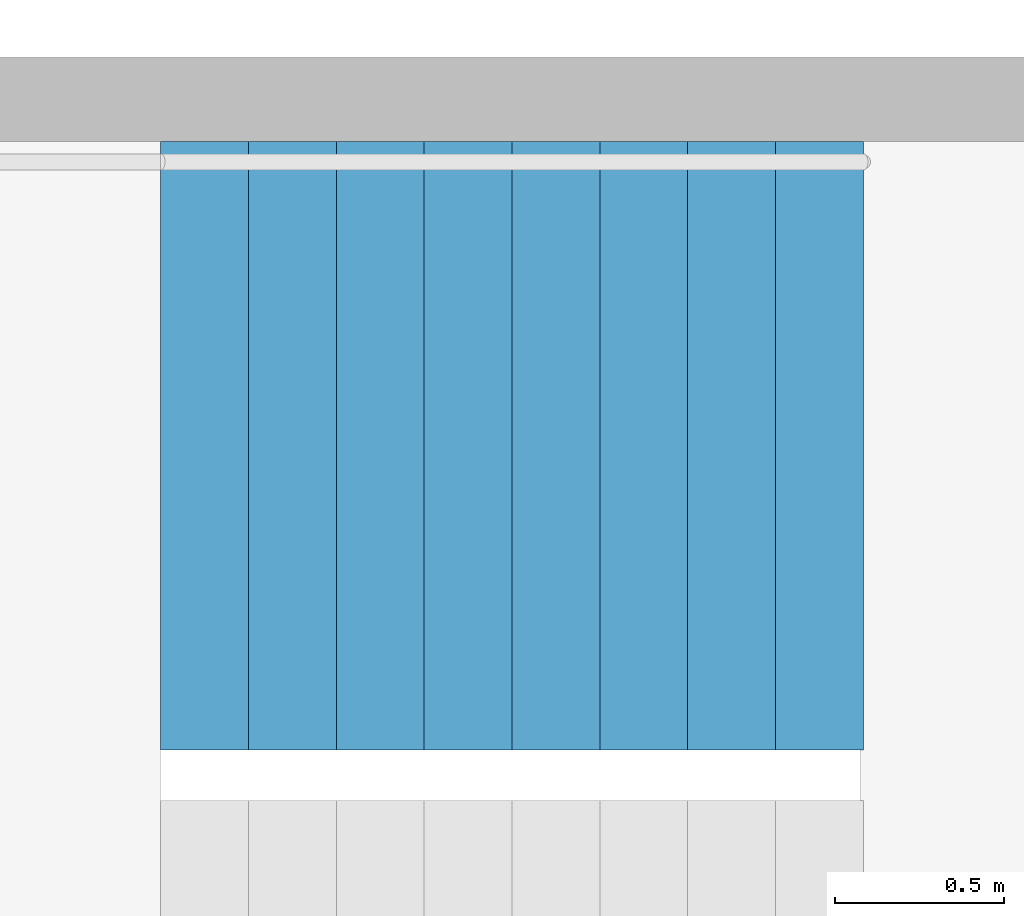
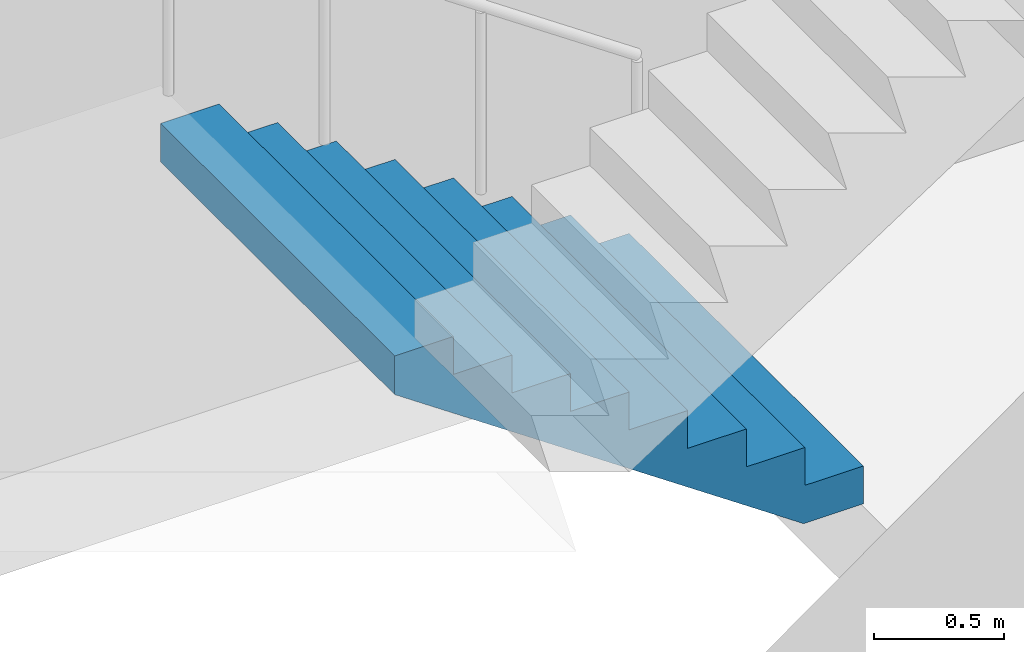
# One storey, part 20 of 27: 1 stair flight, 1 element without a shape of its own.
"""IFC4 building model written with IfcOpenShell, lengths in metres."""

import ifcopenshell
import ifcopenshell.guid

model = None  # the IFC model being written
_history = None  # IfcOwnerHistory: only IFC2X3 demands one
_inside = {}  # id of a spatial element -> (the spatial element, [elements in it])
_under = {}  # id of a project, library or spatial element -> (it, [spatial elements below it])
_declared = {}  # id of a project -> (the project, [libraries it declares])
_typed = {}  # id of a type object -> (the type object, [elements of that type])
_made_of = {}  # id of a material, layer set ... -> (it, [elements and type objects made of it])


def new_model(schema):
    """Start an empty IFC model of exactly this schema.

    Asked for "IFC4X3", IfcOpenShell would pick the latest addendum, in which some entities
    have other attributes; the version numbers below select the first issue.
    IFC2X3 requires an IfcOwnerHistory on every rooted entity: one is made here for all.
    """
    global model, _history
    if schema == "IFC4X3":
        model = ifcopenshell.file(schema_version=(4, 3, 0, 0))
    else:
        model = ifcopenshell.file(schema=schema)
    _inside.clear()
    _under.clear()
    _declared.clear()
    _typed.clear()
    _made_of.clear()
    _history = None
    if model.schema == "IFC2X3":
        org = make("IfcOrganization", Name="unknown")
        user = make(
            "IfcPersonAndOrganization",
            ThePerson=make("IfcPerson", FamilyName="unknown"),
            TheOrganization=org,
        )
        app = make(
            "IfcApplication",
            ApplicationDeveloper=org,
            Version="unknown",
            ApplicationFullName="unknown",
            ApplicationIdentifier="unknown",
        )
        _history = make(
            "IfcOwnerHistory",
            OwningUser=user,
            OwningApplication=app,
            ChangeAction="ADDED",
            CreationDate=0,
        )
    return model


def make(cls, **values):
    """One entity of the class cls with the attributes given. An attribute that is None is left unset."""
    return model.create_entity(
        cls, **{name: value for name, value in values.items() if value is not None}
    )


def rooted(cls, **values):
    """An entity with a GlobalId (a new one), such as an element, a storey or a relation."""
    return make(cls, GlobalId=ifcopenshell.guid.new(), OwnerHistory=_history, **values)


def si_unit(unit_type, name, prefix=None):
    """IfcSIUnit, for example si_unit("LENGTHUNIT", "METRE", prefix="MILLI")."""
    return make("IfcSIUnit", UnitType=unit_type, Prefix=prefix, Name=name)


def assignment(units):
    """IfcUnitAssignment: the units of a project."""
    return None if units is None else make("IfcUnitAssignment", Units=units)


def point(xyz):
    """IfcCartesianPoint."""
    return None if xyz is None else make("IfcCartesianPoint", Coordinates=xyz)


def direction(xyz):
    """IfcDirection."""
    return None if xyz is None else make("IfcDirection", DirectionRatios=xyz)


def frame(location, z_axis=None, x_axis=None):
    """IfcAxis2Placement3D, a coordinate frame: its origin and axes. An axis left out is left unset."""
    return make(
        "IfcAxis2Placement3D",
        Location=point(location),
        Axis=direction(z_axis),
        RefDirection=direction(x_axis),
    )


def origin():
    """The frame at (0, 0, 0) with its axes left unset."""
    return frame((0.0, 0.0, 0.0))


def place(relative_to, where):
    """IfcLocalPlacement: puts the frame where relative to a parent placement (None: the world)."""
    return make(
        "IfcLocalPlacement", PlacementRelTo=relative_to, RelativePlacement=where
    )


def context(
    kind, dimensions, precision=None, world=None, true_north=None, identifier=None
):
    """IfcGeometricRepresentationContext, for example the 3D "Model" context."""
    return make(
        "IfcGeometricRepresentationContext",
        ContextIdentifier=identifier,
        ContextType=kind,
        CoordinateSpaceDimension=dimensions,
        Precision=precision,
        WorldCoordinateSystem=world,
        TrueNorth=true_north,
    )


def subcontext(parent, identifier, kind, view, scale=None):
    """IfcGeometricRepresentationSubContext, for example "Body" below "Model"."""
    return make(
        "IfcGeometricRepresentationSubContext",
        ContextIdentifier=identifier,
        ContextType=kind,
        ParentContext=parent,
        TargetScale=scale,
        TargetView=view,
    )


def project(units=None, contexts=None):
    """IfcProject with its units and contexts."""
    return rooted(
        "IfcProject",
        Name="project",
        RepresentationContexts=contexts,
        UnitsInContext=assignment(units),
    )


def spatial(cls, under=None, at=None, **own):
    """A site, building, storey or space (cls), placed at a placement, below another one or the project."""
    s = rooted(cls, ObjectPlacement=at, **own)
    if under is not None:
        _under.setdefault(under.id(), (under, []))[1].append(s)
    return s


def point_list(points):
    """IfcCartesianPointList2D or 3D."""
    cls = (
        "IfcCartesianPointList2D" if len(points[0]) == 2 else "IfcCartesianPointList3D"
    )
    return make(cls, CoordList=points)


def triangles(points, corners, closed=None, point_numbers=None):
    """IfcTriangulatedFaceSet: each triangle names its three corners, points numbered from 1."""
    return make(
        "IfcTriangulatedFaceSet",
        Coordinates=point_list(points),
        Closed=closed,
        CoordIndex=corners,
        PnIndex=point_numbers,
    )


def shape(context_of_items, identifier, shape_type, items):
    """IfcShapeRepresentation: the items that make up one representation, for example the "Body"."""
    return make(
        "IfcShapeRepresentation",
        ContextOfItems=context_of_items,
        RepresentationIdentifier=identifier,
        RepresentationType=shape_type,
        Items=items,
    )


def material(Name=None, Category=None):
    """IfcMaterial."""
    return make("IfcMaterial", Name=Name, Category=Category)


def made_of(thing, what):
    """Note that an element or type object is made of a material, layer set ...; save() writes the relation."""
    if what is not None:
        _made_of.setdefault(what.id(), (what, []))[1].append(thing)
    return thing


def type_object(cls, material=None, **own):
    """A type object (cls), such as IfcWallType, which elements share."""
    return made_of(rooted(cls, **own), material)


def element(
    cls,
    number,
    at=None,
    inside=None,
    cuts=None,
    type_object=None,
    material=None,
    context=None,
    identifier="Body",
    shape_type=None,
    held_by="IfcProductDefinitionShape",
    body=None,
    shapes=None,
    **own,
):
    """One element of the class cls, such as IfcWall. Its Tag is "e" and its number.

    at: its placement. inside: the storey or other place that contains it. cuts: it is an
    opening in that element (IfcRelVoidsElement). A single representation is given by context,
    identifier, shape_type and body (its items); several are given by shapes. held_by: the class
    of the entity that holds the representations. save() writes the other relations.
    """
    e = rooted(cls, Tag="e%d" % number, ObjectPlacement=at, **own)
    if body is not None:
        shapes = [shape(context, identifier, shape_type, body)]
    if shapes is not None:
        e.Representation = make(held_by, Representations=shapes)
    if inside is not None:
        _inside.setdefault(inside.id(), (inside, []))[1].append(e)
    if cuts is not None:
        rooted(
            "IfcRelVoidsElement", RelatingBuildingElement=cuts, RelatedOpeningElement=e
        )
    if type_object is not None:
        _typed.setdefault(type_object.id(), (type_object, []))[1].append(e)
    return made_of(e, material)


def aggregate(whole, parts):
    """IfcRelAggregates: a whole, such as a stair, and the parts it consists of."""
    return rooted("IfcRelAggregates", RelatingObject=whole, RelatedObjects=parts)


def save(model, path):
    """Write the relations noted so far, then the file.

    IfcRelAggregates (storeys below a building ...), IfcRelContainedInSpatialStructure (elements
    in a storey), IfcRelDefinesByType, IfcRelAssociatesMaterial and IfcRelDeclares: one each for
    every whole, place, type object, material and project.
    """
    for whole, parts in _under.values():
        aggregate(whole, parts)
    for where, things in _inside.values():
        rooted(
            "IfcRelContainedInSpatialStructure",
            RelatedElements=things,
            RelatingStructure=where,
        )
    for kind, things in _typed.values():
        rooted("IfcRelDefinesByType", RelatedObjects=things, RelatingType=kind)
    for what, things in _made_of.values():
        rooted("IfcRelAssociatesMaterial", RelatedObjects=things, RelatingMaterial=what)
    for by, libraries in _declared.values():
        rooted("IfcRelDeclares", RelatingContext=by, RelatedDefinitions=libraries)
    model.write(path)


model = new_model("IFC4")

# Units and contexts
model_context = context("Model", 3, precision=1e-05, world=origin(), true_north=direction((0.0, 1.0)))
body_context = subcontext(model_context, "Body", "Model", "MODEL_VIEW")
ifc_project = project(units=[si_unit("LENGTHUNIT", "METRE"), si_unit("AREAUNIT", "SQUARE_METRE"), si_unit("VOLUMEUNIT", "CUBIC_METRE"), si_unit("PLANEANGLEUNIT", "RADIAN"), si_unit("MASSUNIT", "GRAM", prefix="KILO")], contexts=[model_context])

# Site, building, storey
site_placement = place(None, origin())
site = spatial("IfcSite", under=ifc_project, at=site_placement, CompositionType="ELEMENT")
building_placement = place(site_placement, origin())
building = spatial("IfcBuilding", under=site, at=building_placement, Name="Hakoniwa Tower and Hamabe Station Hall", CompositionType="ELEMENT")
storey_placement = place(building_placement, frame((0.0, 0.0, 261.39990234375)))
storey = spatial("IfcBuildingStorey", under=building, at=storey_placement, Name="L74", CompositionType="ELEMENT", Elevation=261.39990234375)

# Stair, stair flight
ifc_material_1 = material(Name="Concrete C40", Category="concrete")
stair_type = type_object("IfcStairType", Name="ESCAPE STAIR 1800", PredefinedType="HALF_TURN_STAIR", material=ifc_material_1)
stair_placement = place(storey_placement, origin())
stair = element("IfcStair", 1, at=stair_placement, inside=storey, type_object=stair_type, Name="Escape stair ST-2 L74", PredefinedType="HALF_TURN_STAIR")
ifc_material_2 = material(Name="Concrete C40", Category="concrete")
stair_flight_type = type_object("IfcStairFlightType", Name="STAIR FLIGHT 1800", PredefinedType="STRAIGHT", material=ifc_material_2)
stair_flight_placement = place(storey_placement, frame((-23.39990234375, -4.64990234375, 0.0), z_axis=(0.0, 0.0, 1.0), x_axis=(-1.0, 0.0, 0.0)))
stair_flight = element("IfcStairFlight", 2, at=stair_flight_placement, type_object=stair_flight_type, Name="ST-2 flight 1", NumberOfRisers=9, NumberOfTreads=8, PredefinedType="STRAIGHT", RiserHeight=0.177777778, TreadLength=0.26, context=body_context, shape_type="Tessellation", body=[
    triangles([(0.0, 0.89990234375, 0.0), (0.260009765625, 0.89990234375, 0.0), (0.265625, 0.89990234375, 0.0), (0.52001953125, 0.89990234375, 0.174072265625), (0.780029296875, 0.89990234375, 0.351806640625), (1.0400390625, 0.89990234375, 0.529541015625), (1.300048828125, 0.89990234375, 0.707275390625), (1.56005859375, 0.89990234375, 0.885009765625), (1.820068359375, 0.89990234375, 1.062744140625), (2.080078125, 0.89990234375, 1.24072265625), (2.080078125, 0.89990234375, 1.422119140625), (1.820068359375, 0.89990234375, 1.422119140625), (1.820068359375, 0.89990234375, 1.244384765625), (1.56005859375, 0.89990234375, 1.244384765625), (1.56005859375, 0.89990234375, 1.066650390625), (1.300048828125, 0.89990234375, 1.066650390625), (1.300048828125, 0.89990234375, 0.888916015625), (1.0400390625, 0.89990234375, 0.888916015625), (1.0400390625, 0.89990234375, 0.711181640625), (0.780029296875, 0.89990234375, 0.711181640625), (0.780029296875, 0.89990234375, 0.533447265625), (0.52001953125, 0.89990234375, 0.533447265625), (0.52001953125, 0.89990234375, 0.35546875), (0.265625, 0.89990234375, 0.35546875), (0.260009765625, 0.89990234375, 0.35546875), (0.260009765625, 0.89990234375, 0.177734375), (0.0, 0.89990234375, 0.177734375), (0.0, 0.06005859375, 0.0), (0.260009765625, 0.06005859375, 0.0), (0.265625, 0.06005859375, 0.0), (0.52001953125, 0.06005859375, 0.174072265625), (0.780029296875, 0.06005859375, 0.351806640625), (1.0400390625, 0.06005859375, 0.529541015625), (1.300048828125, 0.06005859375, 0.707275390625), (1.56005859375, 0.06005859375, 0.885009765625), (1.820068359375, 0.06005859375, 1.062744140625), (2.080078125, 0.06005859375, 1.24072265625), (2.080078125, 0.06005859375, 1.422119140625), (1.820068359375, 0.06005859375, 1.422119140625), (1.820068359375, 0.06005859375, 1.244384765625), (1.56005859375, 0.06005859375, 1.244384765625), (1.56005859375, 0.06005859375, 1.066650390625), (1.300048828125, 0.06005859375, 1.066650390625), (1.300048828125, 0.06005859375, 0.888916015625), (1.0400390625, 0.06005859375, 0.888916015625), (1.0400390625, 0.06005859375, 0.711181640625), (0.780029296875, 0.06005859375, 0.711181640625), (0.780029296875, 0.06005859375, 0.533447265625), (0.52001953125, 0.06005859375, 0.533447265625), (0.52001953125, 0.06005859375, 0.35546875), (0.265625, 0.06005859375, 0.35546875), (0.260009765625, 0.06005859375, 0.35546875), (0.260009765625, 0.06005859375, 0.177734375), (0.0, 0.06005859375, 0.177734375), (0.0, 0.04296875, 0.0), (0.260009765625, 0.04296875, 0.0), (0.265625, 0.04296875, 0.0), (0.52001953125, 0.04296875, 0.174072265625), (0.780029296875, 0.04296875, 0.351806640625), (1.0400390625, 0.04296875, 0.529541015625), (1.300048828125, 0.04296875, 0.707275390625), (1.56005859375, 0.04296875, 0.885009765625), (1.820068359375, 0.04296875, 1.062744140625), (2.080078125, 0.04296875, 1.24072265625), (2.080078125, 0.04296875, 1.422119140625), (1.820068359375, 0.04296875, 1.422119140625), (1.820068359375, 0.04296875, 1.244384765625), (1.56005859375, 0.04296875, 1.244384765625), (1.56005859375, 0.04296875, 1.066650390625), (1.300048828125, 0.04296875, 1.066650390625), (1.300048828125, 0.04296875, 0.888916015625), (1.0400390625, 0.04296875, 0.888916015625), (1.0400390625, 0.04296875, 0.711181640625), (0.780029296875, 0.04296875, 0.711181640625), (0.780029296875, 0.04296875, 0.533447265625), (0.52001953125, 0.04296875, 0.533447265625), (0.52001953125, 0.04296875, 0.35546875), (0.265625, 0.04296875, 0.35546875), (0.260009765625, 0.04296875, 0.35546875), (0.260009765625, 0.04296875, 0.177734375), (0.0, 0.04296875, 0.177734375), (0.0, 0.025634765625, 0.0), (0.260009765625, 0.025634765625, 0.0), (0.265625, 0.025634765625, 0.0), (0.52001953125, 0.025634765625, 0.174072265625), (0.780029296875, 0.025634765625, 0.351806640625), (1.0400390625, 0.025634765625, 0.529541015625), (1.300048828125, 0.025634765625, 0.707275390625), (1.56005859375, 0.025634765625, 0.885009765625), (1.820068359375, 0.025634765625, 1.062744140625), (2.080078125, 0.025634765625, 1.24072265625), (2.080078125, 0.025634765625, 1.422119140625), (1.820068359375, 0.025634765625, 1.422119140625), (1.820068359375, 0.025634765625, 1.244384765625), (1.56005859375, 0.025634765625, 1.244384765625), (1.56005859375, 0.025634765625, 1.066650390625), (1.300048828125, 0.025634765625, 1.066650390625), (1.300048828125, 0.025634765625, 0.888916015625), (1.0400390625, 0.025634765625, 0.888916015625), (1.0400390625, 0.025634765625, 0.711181640625), (0.780029296875, 0.025634765625, 0.711181640625), (0.780029296875, 0.025634765625, 0.533447265625), (0.52001953125, 0.025634765625, 0.533447265625), (0.52001953125, 0.025634765625, 0.35546875), (0.265625, 0.025634765625, 0.35546875), (0.260009765625, 0.025634765625, 0.35546875), (0.260009765625, 0.025634765625, 0.177734375), (0.0, 0.025634765625, 0.177734375), (0.0, 0.008544921875, 0.0), (0.260009765625, 0.008544921875, 0.0), (0.265625, 0.008544921875, 0.0), (0.52001953125, 0.008544921875, 0.174072265625), (0.780029296875, 0.008544921875, 0.351806640625), (1.0400390625, 0.008544921875, 0.529541015625), (1.300048828125, 0.008544921875, 0.707275390625), (1.56005859375, 0.008544921875, 0.885009765625), (1.820068359375, 0.008544921875, 1.062744140625), (2.080078125, 0.008544921875, 1.24072265625), (2.080078125, 0.008544921875, 1.422119140625), (1.820068359375, 0.008544921875, 1.422119140625), (1.820068359375, 0.008544921875, 1.244384765625), (1.56005859375, 0.008544921875, 1.244384765625), (1.56005859375, 0.008544921875, 1.066650390625), (1.300048828125, 0.008544921875, 1.066650390625), (1.300048828125, 0.008544921875, 0.888916015625), (1.0400390625, 0.008544921875, 0.888916015625), (1.0400390625, 0.008544921875, 0.711181640625), (0.780029296875, 0.008544921875, 0.711181640625), (0.780029296875, 0.008544921875, 0.533447265625), (0.52001953125, 0.008544921875, 0.533447265625), (0.52001953125, 0.008544921875, 0.35546875), (0.265625, 0.008544921875, 0.35546875), (0.260009765625, 0.008544921875, 0.35546875), (0.260009765625, 0.008544921875, 0.177734375), (0.0, 0.008544921875, 0.177734375), (0.0, -0.008544921875, 0.0), (0.260009765625, -0.008544921875, 0.0), (0.265625, -0.008544921875, 0.0), (0.52001953125, -0.008544921875, 0.174072265625), (0.780029296875, -0.008544921875, 0.351806640625), (1.0400390625, -0.008544921875, 0.529541015625), (1.300048828125, -0.008544921875, 0.707275390625), (1.56005859375, -0.008544921875, 0.885009765625), (1.820068359375, -0.008544921875, 1.062744140625), (2.080078125, -0.008544921875, 1.24072265625), (2.080078125, -0.008544921875, 1.422119140625), (1.820068359375, -0.008544921875, 1.422119140625), (1.820068359375, -0.008544921875, 1.244384765625), (1.56005859375, -0.008544921875, 1.244384765625), (1.56005859375, -0.008544921875, 1.066650390625), (1.300048828125, -0.008544921875, 1.066650390625), (1.300048828125, -0.008544921875, 0.888916015625), (1.0400390625, -0.008544921875, 0.888916015625), (1.0400390625, -0.008544921875, 0.711181640625), (0.780029296875, -0.008544921875, 0.711181640625), (0.780029296875, -0.008544921875, 0.533447265625), (0.52001953125, -0.008544921875, 0.533447265625), (0.52001953125, -0.008544921875, 0.35546875), (0.265625, -0.008544921875, 0.35546875), (0.260009765625, -0.008544921875, 0.35546875), (0.260009765625, -0.008544921875, 0.177734375), (0.0, -0.008544921875, 0.177734375), (0.0, -0.025634765625, 0.0), (0.260009765625, -0.025634765625, 0.0), (0.265625, -0.025634765625, 0.0), (0.52001953125, -0.025634765625, 0.174072265625), (0.780029296875, -0.025634765625, 0.351806640625), (1.0400390625, -0.025634765625, 0.529541015625), (1.300048828125, -0.025634765625, 0.707275390625), (1.56005859375, -0.025634765625, 0.885009765625), (1.820068359375, -0.025634765625, 1.062744140625), (2.080078125, -0.025634765625, 1.24072265625), (2.080078125, -0.025634765625, 1.422119140625), (1.820068359375, -0.025634765625, 1.422119140625), (1.820068359375, -0.025634765625, 1.244384765625), (1.56005859375, -0.025634765625, 1.244384765625), (1.56005859375, -0.025634765625, 1.066650390625), (1.300048828125, -0.025634765625, 1.066650390625), (1.300048828125, -0.025634765625, 0.888916015625), (1.0400390625, -0.025634765625, 0.888916015625), (1.0400390625, -0.025634765625, 0.711181640625), (0.780029296875, -0.025634765625, 0.711181640625), (0.780029296875, -0.025634765625, 0.533447265625), (0.52001953125, -0.025634765625, 0.533447265625), (0.52001953125, -0.025634765625, 0.35546875), (0.265625, -0.025634765625, 0.35546875), (0.260009765625, -0.025634765625, 0.35546875), (0.260009765625, -0.025634765625, 0.177734375), (0.0, -0.025634765625, 0.177734375), (0.0, -0.04296875, 0.0), (0.260009765625, -0.04296875, 0.0), (0.265625, -0.04296875, 0.0), (0.52001953125, -0.04296875, 0.174072265625), (0.780029296875, -0.04296875, 0.351806640625), (1.0400390625, -0.04296875, 0.529541015625), (1.300048828125, -0.04296875, 0.707275390625), (1.56005859375, -0.04296875, 0.885009765625), (1.820068359375, -0.04296875, 1.062744140625), (2.080078125, -0.04296875, 1.24072265625), (2.080078125, -0.04296875, 1.422119140625), (1.820068359375, -0.04296875, 1.422119140625), (1.820068359375, -0.04296875, 1.244384765625), (1.56005859375, -0.04296875, 1.244384765625), (1.56005859375, -0.04296875, 1.066650390625), (1.300048828125, -0.04296875, 1.066650390625), (1.300048828125, -0.04296875, 0.888916015625), (1.0400390625, -0.04296875, 0.888916015625), (1.0400390625, -0.04296875, 0.711181640625), (0.780029296875, -0.04296875, 0.711181640625), (0.780029296875, -0.04296875, 0.533447265625), (0.52001953125, -0.04296875, 0.533447265625), (0.52001953125, -0.04296875, 0.35546875), (0.265625, -0.04296875, 0.35546875), (0.260009765625, -0.04296875, 0.35546875), (0.260009765625, -0.04296875, 0.177734375), (0.0, -0.04296875, 0.177734375), (0.0, -0.06005859375, 0.0), (0.260009765625, -0.06005859375, 0.0), (0.265625, -0.06005859375, 0.0), (0.52001953125, -0.06005859375, 0.174072265625), (0.780029296875, -0.06005859375, 0.351806640625), (1.0400390625, -0.06005859375, 0.529541015625), (1.300048828125, -0.06005859375, 0.707275390625), (1.56005859375, -0.06005859375, 0.885009765625), (1.820068359375, -0.06005859375, 1.062744140625), (2.080078125, -0.06005859375, 1.24072265625), (2.080078125, -0.06005859375, 1.422119140625), (1.820068359375, -0.06005859375, 1.422119140625), (1.820068359375, -0.06005859375, 1.244384765625), (1.56005859375, -0.06005859375, 1.244384765625), (1.56005859375, -0.06005859375, 1.066650390625), (1.300048828125, -0.06005859375, 1.066650390625), (1.300048828125, -0.06005859375, 0.888916015625), (1.0400390625, -0.06005859375, 0.888916015625), (1.0400390625, -0.06005859375, 0.711181640625), (0.780029296875, -0.06005859375, 0.711181640625), (0.780029296875, -0.06005859375, 0.533447265625), (0.52001953125, -0.06005859375, 0.533447265625), (0.52001953125, -0.06005859375, 0.35546875), (0.265625, -0.06005859375, 0.35546875), (0.260009765625, -0.06005859375, 0.35546875), (0.260009765625, -0.06005859375, 0.177734375), (0.0, -0.06005859375, 0.177734375), (0.0, -0.89990234375, 0.0), (0.260009765625, -0.89990234375, 0.0), (0.265625, -0.89990234375, 0.0), (0.52001953125, -0.89990234375, 0.174072265625), (0.780029296875, -0.89990234375, 0.351806640625), (1.0400390625, -0.89990234375, 0.529541015625), (1.300048828125, -0.89990234375, 0.707275390625), (1.56005859375, -0.89990234375, 0.885009765625), (1.820068359375, -0.89990234375, 1.062744140625), (2.080078125, -0.89990234375, 1.24072265625), (2.080078125, -0.89990234375, 1.422119140625), (1.820068359375, -0.89990234375, 1.422119140625), (1.820068359375, -0.89990234375, 1.244384765625), (1.56005859375, -0.89990234375, 1.244384765625), (1.56005859375, -0.89990234375, 1.066650390625), (1.300048828125, -0.89990234375, 1.066650390625), (1.300048828125, -0.89990234375, 0.888916015625), (1.0400390625, -0.89990234375, 0.888916015625), (1.0400390625, -0.89990234375, 0.711181640625), (0.780029296875, -0.89990234375, 0.711181640625), (0.780029296875, -0.89990234375, 0.533447265625), (0.52001953125, -0.89990234375, 0.533447265625), (0.52001953125, -0.89990234375, 0.35546875), (0.265625, -0.89990234375, 0.35546875), (0.260009765625, -0.89990234375, 0.35546875), (0.260009765625, -0.89990234375, 0.177734375), (0.0, -0.89990234375, 0.177734375)], [[2, 27, 26], [245, 269, 270], [2, 1, 27], [245, 270, 244], [3, 25, 24], [246, 267, 268], [3, 26, 25], [246, 268, 269], [3, 2, 26], [246, 269, 245], [4, 24, 23], [247, 266, 267], [4, 3, 24], [247, 267, 246], [5, 22, 21], [248, 264, 265], [5, 23, 22], [248, 265, 266], [5, 4, 23], [248, 266, 247], [6, 20, 19], [249, 262, 263], [6, 21, 20], [249, 263, 264], [6, 5, 21], [249, 264, 248], [7, 18, 17], [250, 260, 261], [7, 19, 18], [250, 261, 262], [7, 6, 19], [250, 262, 249], [8, 16, 15], [251, 258, 259], [8, 17, 16], [251, 259, 260], [8, 7, 17], [251, 260, 250], [9, 14, 13], [252, 256, 257], [9, 15, 14], [252, 257, 258], [9, 8, 15], [252, 258, 251], [10, 12, 11], [253, 254, 255], [10, 13, 12], [253, 255, 256], [10, 9, 13], [253, 256, 252], [1, 2, 29], [1, 29, 28], [28, 29, 56], [28, 56, 55], [55, 56, 83], [55, 83, 82], [82, 83, 110], [82, 110, 109], [109, 110, 137], [109, 137, 136], [136, 137, 164], [136, 164, 163], [163, 164, 191], [163, 191, 190], [190, 191, 218], [190, 218, 217], [217, 218, 245], [217, 245, 244], [2, 3, 30], [2, 30, 29], [29, 30, 57], [29, 57, 56], [56, 57, 84], [56, 84, 83], [83, 84, 111], [83, 111, 110], [110, 111, 138], [110, 138, 137], [137, 138, 165], [137, 165, 164], [164, 165, 192], [164, 192, 191], [191, 192, 219], [191, 219, 218], [218, 219, 246], [218, 246, 245], [3, 4, 31], [3, 31, 30], [30, 31, 58], [30, 58, 57], [57, 58, 85], [57, 85, 84], [84, 85, 112], [84, 112, 111], [111, 112, 139], [111, 139, 138], [138, 139, 166], [138, 166, 165], [165, 166, 193], [165, 193, 192], [192, 193, 220], [192, 220, 219], [219, 220, 247], [219, 247, 246], [4, 5, 32], [4, 32, 31], [31, 32, 59], [31, 59, 58], [58, 59, 86], [58, 86, 85], [85, 86, 113], [85, 113, 112], [112, 113, 140], [112, 140, 139], [139, 140, 167], [139, 167, 166], [166, 167, 194], [166, 194, 193], [193, 194, 221], [193, 221, 220], [220, 221, 248], [220, 248, 247], [5, 6, 33], [5, 33, 32], [32, 33, 60], [32, 60, 59], [59, 60, 87], [59, 87, 86], [86, 87, 114], [86, 114, 113], [113, 114, 141], [113, 141, 140], [140, 141, 168], [140, 168, 167], [167, 168, 195], [167, 195, 194], [194, 195, 222], [194, 222, 221], [221, 222, 249], [221, 249, 248], [6, 7, 34], [6, 34, 33], [33, 34, 61], [33, 61, 60], [60, 61, 88], [60, 88, 87], [87, 88, 115], [87, 115, 114], [114, 115, 142], [114, 142, 141], [141, 142, 169], [141, 169, 168], [168, 169, 196], [168, 196, 195], [195, 196, 223], [195, 223, 222], [222, 223, 250], [222, 250, 249], [7, 8, 35], [7, 35, 34], [34, 35, 62], [34, 62, 61], [61, 62, 89], [61, 89, 88], [88, 89, 116], [88, 116, 115], [115, 116, 143], [115, 143, 142], [142, 143, 170], [142, 170, 169], [169, 170, 197], [169, 197, 196], [196, 197, 224], [196, 224, 223], [223, 224, 251], [223, 251, 250], [8, 9, 36], [8, 36, 35], [35, 36, 63], [35, 63, 62], [62, 63, 90], [62, 90, 89], [89, 90, 117], [89, 117, 116], [116, 117, 144], [116, 144, 143], [143, 144, 171], [143, 171, 170], [170, 171, 198], [170, 198, 197], [197, 198, 225], [197, 225, 224], [224, 225, 252], [224, 252, 251], [9, 10, 37], [9, 37, 36], [36, 37, 64], [36, 64, 63], [63, 64, 91], [63, 91, 90], [90, 91, 118], [90, 118, 117], [117, 118, 145], [117, 145, 144], [144, 145, 172], [144, 172, 171], [171, 172, 199], [171, 199, 198], [198, 199, 226], [198, 226, 225], [225, 226, 253], [225, 253, 252], [10, 11, 38], [10, 38, 37], [37, 38, 65], [37, 65, 64], [64, 65, 92], [64, 92, 91], [91, 92, 119], [91, 119, 118], [118, 119, 146], [118, 146, 145], [145, 146, 173], [145, 173, 172], [172, 173, 200], [172, 200, 199], [199, 200, 227], [199, 227, 226], [226, 227, 254], [226, 254, 253], [11, 12, 39], [11, 39, 38], [38, 39, 66], [38, 66, 65], [65, 66, 93], [65, 93, 92], [92, 93, 120], [92, 120, 119], [119, 120, 147], [119, 147, 146], [146, 147, 174], [146, 174, 173], [173, 174, 201], [173, 201, 200], [200, 201, 228], [200, 228, 227], [227, 228, 255], [227, 255, 254], [12, 13, 40], [12, 40, 39], [39, 40, 67], [39, 67, 66], [66, 67, 94], [66, 94, 93], [93, 94, 121], [93, 121, 120], [120, 121, 148], [120, 148, 147], [147, 148, 175], [147, 175, 174], [174, 175, 202], [174, 202, 201], [201, 202, 229], [201, 229, 228], [228, 229, 256], [228, 256, 255], [13, 14, 41], [13, 41, 40], [40, 41, 68], [40, 68, 67], [67, 68, 95], [67, 95, 94], [94, 95, 122], [94, 122, 121], [121, 122, 149], [121, 149, 148], [148, 149, 176], [148, 176, 175], [175, 176, 203], [175, 203, 202], [202, 203, 230], [202, 230, 229], [229, 230, 257], [229, 257, 256], [14, 15, 42], [14, 42, 41], [41, 42, 69], [41, 69, 68], [68, 69, 96], [68, 96, 95], [95, 96, 123], [95, 123, 122], [122, 123, 150], [122, 150, 149], [149, 150, 177], [149, 177, 176], [176, 177, 204], [176, 204, 203], [203, 204, 231], [203, 231, 230], [230, 231, 258], [230, 258, 257], [15, 16, 43], [15, 43, 42], [42, 43, 70], [42, 70, 69], [69, 70, 97], [69, 97, 96], [96, 97, 124], [96, 124, 123], [123, 124, 151], [123, 151, 150], [150, 151, 178], [150, 178, 177], [177, 178, 205], [177, 205, 204], [204, 205, 232], [204, 232, 231], [231, 232, 259], [231, 259, 258], [16, 17, 44], [16, 44, 43], [43, 44, 71], [43, 71, 70], [70, 71, 98], [70, 98, 97], [97, 98, 125], [97, 125, 124], [124, 125, 152], [124, 152, 151], [151, 152, 179], [151, 179, 178], [178, 179, 206], [178, 206, 205], [205, 206, 233], [205, 233, 232], [232, 233, 260], [232, 260, 259], [17, 18, 45], [17, 45, 44], [44, 45, 72], [44, 72, 71], [71, 72, 99], [71, 99, 98], [98, 99, 126], [98, 126, 125], [125, 126, 153], [125, 153, 152], [152, 153, 180], [152, 180, 179], [179, 180, 207], [179, 207, 206], [206, 207, 234], [206, 234, 233], [233, 234, 261], [233, 261, 260], [18, 19, 46], [18, 46, 45], [45, 46, 73], [45, 73, 72], [72, 73, 100], [72, 100, 99], [99, 100, 127], [99, 127, 126], [126, 127, 154], [126, 154, 153], [153, 154, 181], [153, 181, 180], [180, 181, 208], [180, 208, 207], [207, 208, 235], [207, 235, 234], [234, 235, 262], [234, 262, 261], [19, 20, 47], [19, 47, 46], [46, 47, 74], [46, 74, 73], [73, 74, 101], [73, 101, 100], [100, 101, 128], [100, 128, 127], [127, 128, 155], [127, 155, 154], [154, 155, 182], [154, 182, 181], [181, 182, 209], [181, 209, 208], [208, 209, 236], [208, 236, 235], [235, 236, 263], [235, 263, 262], [20, 21, 48], [20, 48, 47], [47, 48, 75], [47, 75, 74], [74, 75, 102], [74, 102, 101], [101, 102, 129], [101, 129, 128], [128, 129, 156], [128, 156, 155], [155, 156, 183], [155, 183, 182], [182, 183, 210], [182, 210, 209], [209, 210, 237], [209, 237, 236], [236, 237, 264], [236, 264, 263], [21, 22, 49], [21, 49, 48], [48, 49, 76], [48, 76, 75], [75, 76, 103], [75, 103, 102], [102, 103, 130], [102, 130, 129], [129, 130, 157], [129, 157, 156], [156, 157, 184], [156, 184, 183], [183, 184, 211], [183, 211, 210], [210, 211, 238], [210, 238, 237], [237, 238, 265], [237, 265, 264], [22, 23, 50], [22, 50, 49], [49, 50, 77], [49, 77, 76], [76, 77, 104], [76, 104, 103], [103, 104, 131], [103, 131, 130], [130, 131, 158], [130, 158, 157], [157, 158, 185], [157, 185, 184], [184, 185, 212], [184, 212, 211], [211, 212, 239], [211, 239, 238], [238, 239, 266], [238, 266, 265], [23, 24, 51], [23, 51, 50], [50, 51, 78], [50, 78, 77], [77, 78, 105], [77, 105, 104], [104, 105, 132], [104, 132, 131], [131, 132, 159], [131, 159, 158], [158, 159, 186], [158, 186, 185], [185, 186, 213], [185, 213, 212], [212, 213, 240], [212, 240, 239], [239, 240, 267], [239, 267, 266], [24, 25, 52], [24, 52, 51], [51, 52, 79], [51, 79, 78], [78, 79, 106], [78, 106, 105], [105, 106, 133], [105, 133, 132], [132, 133, 160], [132, 160, 159], [159, 160, 187], [159, 187, 186], [186, 187, 214], [186, 214, 213], [213, 214, 241], [213, 241, 240], [240, 241, 268], [240, 268, 267], [25, 26, 53], [25, 53, 52], [52, 53, 80], [52, 80, 79], [79, 80, 107], [79, 107, 106], [106, 107, 134], [106, 134, 133], [133, 134, 161], [133, 161, 160], [160, 161, 188], [160, 188, 187], [187, 188, 215], [187, 215, 214], [214, 215, 242], [214, 242, 241], [241, 242, 269], [241, 269, 268], [26, 27, 54], [26, 54, 53], [53, 54, 81], [53, 81, 80], [80, 81, 108], [80, 108, 107], [107, 108, 135], [107, 135, 134], [134, 135, 162], [134, 162, 161], [161, 162, 189], [161, 189, 188], [188, 189, 216], [188, 216, 215], [215, 216, 243], [215, 243, 242], [242, 243, 270], [242, 270, 269], [27, 1, 28], [27, 28, 54], [54, 28, 55], [54, 55, 81], [81, 55, 82], [81, 82, 108], [108, 82, 109], [108, 109, 135], [135, 109, 136], [135, 136, 162], [162, 136, 163], [162, 163, 189], [189, 163, 190], [189, 190, 216], [216, 190, 217], [216, 217, 243], [243, 217, 244], [243, 244, 270]], closed=True),
])
aggregate(stair, [stair_flight])

save(model, "model.ifc")
